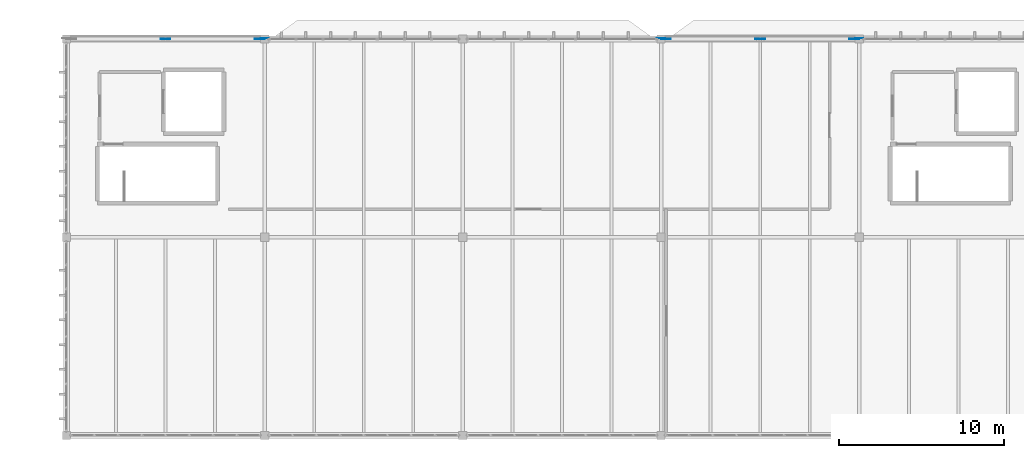
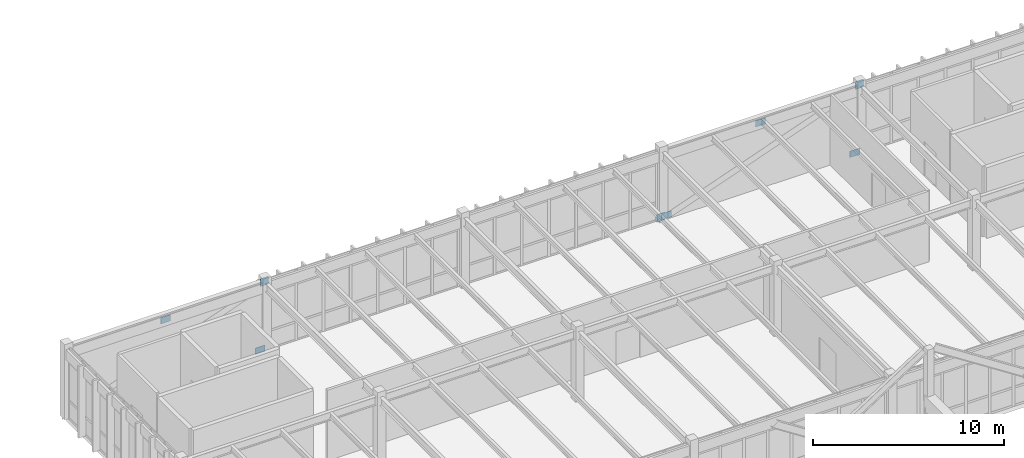
# One storey, part 214 of 236: 8 plates.
"""IFC4 building model written with IfcOpenShell, lengths in metres."""

import ifcopenshell
import ifcopenshell.guid

model = None  # the IFC model being written
_history = None  # IfcOwnerHistory: only IFC2X3 demands one
_inside = {}  # id of a spatial element -> (the spatial element, [elements in it])
_under = {}  # id of a project, library or spatial element -> (it, [spatial elements below it])
_declared = {}  # id of a project -> (the project, [libraries it declares])
_typed = {}  # id of a type object -> (the type object, [elements of that type])
_made_of = {}  # id of a material, layer set ... -> (it, [elements and type objects made of it])


def new_model(schema):
    """Start an empty IFC model of exactly this schema.

    Asked for "IFC4X3", IfcOpenShell would pick the latest addendum, in which some entities
    have other attributes; the version numbers below select the first issue.
    IFC2X3 requires an IfcOwnerHistory on every rooted entity: one is made here for all.
    """
    global model, _history
    if schema == "IFC4X3":
        model = ifcopenshell.file(schema_version=(4, 3, 0, 0))
    else:
        model = ifcopenshell.file(schema=schema)
    _inside.clear()
    _under.clear()
    _declared.clear()
    _typed.clear()
    _made_of.clear()
    _history = None
    if model.schema == "IFC2X3":
        org = make("IfcOrganization", Name="unknown")
        user = make(
            "IfcPersonAndOrganization",
            ThePerson=make("IfcPerson", FamilyName="unknown"),
            TheOrganization=org,
        )
        app = make(
            "IfcApplication",
            ApplicationDeveloper=org,
            Version="unknown",
            ApplicationFullName="unknown",
            ApplicationIdentifier="unknown",
        )
        _history = make(
            "IfcOwnerHistory",
            OwningUser=user,
            OwningApplication=app,
            ChangeAction="ADDED",
            CreationDate=0,
        )
    return model


def make(cls, **values):
    """One entity of the class cls with the attributes given. An attribute that is None is left unset."""
    return model.create_entity(
        cls, **{name: value for name, value in values.items() if value is not None}
    )


def rooted(cls, **values):
    """An entity with a GlobalId (a new one), such as an element, a storey or a relation."""
    return make(cls, GlobalId=ifcopenshell.guid.new(), OwnerHistory=_history, **values)


def si_unit(unit_type, name, prefix=None):
    """IfcSIUnit, for example si_unit("LENGTHUNIT", "METRE", prefix="MILLI")."""
    return make("IfcSIUnit", UnitType=unit_type, Prefix=prefix, Name=name)


def assignment(units):
    """IfcUnitAssignment: the units of a project."""
    return None if units is None else make("IfcUnitAssignment", Units=units)


def point(xyz):
    """IfcCartesianPoint."""
    return None if xyz is None else make("IfcCartesianPoint", Coordinates=xyz)


def direction(xyz):
    """IfcDirection."""
    return None if xyz is None else make("IfcDirection", DirectionRatios=xyz)


def frame(location, z_axis=None, x_axis=None):
    """IfcAxis2Placement3D, a coordinate frame: its origin and axes. An axis left out is left unset."""
    return make(
        "IfcAxis2Placement3D",
        Location=point(location),
        Axis=direction(z_axis),
        RefDirection=direction(x_axis),
    )


def frame_2d(location, x_axis=None):
    """IfcAxis2Placement2D, a coordinate frame in the plane: its origin and x axis."""
    return make(
        "IfcAxis2Placement2D", Location=point(location), RefDirection=direction(x_axis)
    )


def origin():
    """The frame at (0, 0, 0) with its axes left unset."""
    return frame((0.0, 0.0, 0.0))


def origin_2d():
    """The frame at (0, 0) in the plane with its x axis left unset."""
    return frame_2d((0.0, 0.0))


def place(relative_to, where):
    """IfcLocalPlacement: puts the frame where relative to a parent placement (None: the world)."""
    return make(
        "IfcLocalPlacement", PlacementRelTo=relative_to, RelativePlacement=where
    )


def context(
    kind, dimensions, precision=None, world=None, true_north=None, identifier=None
):
    """IfcGeometricRepresentationContext, for example the 3D "Model" context."""
    return make(
        "IfcGeometricRepresentationContext",
        ContextIdentifier=identifier,
        ContextType=kind,
        CoordinateSpaceDimension=dimensions,
        Precision=precision,
        WorldCoordinateSystem=world,
        TrueNorth=true_north,
    )


def subcontext(parent, identifier, kind, view, scale=None):
    """IfcGeometricRepresentationSubContext, for example "Body" below "Model"."""
    return make(
        "IfcGeometricRepresentationSubContext",
        ContextIdentifier=identifier,
        ContextType=kind,
        ParentContext=parent,
        TargetScale=scale,
        TargetView=view,
    )


def project(units=None, contexts=None):
    """IfcProject with its units and contexts."""
    return rooted(
        "IfcProject",
        Name="project",
        RepresentationContexts=contexts,
        UnitsInContext=assignment(units),
    )


def spatial(cls, under=None, at=None, **own):
    """A site, building, storey or space (cls), placed at a placement, below another one or the project."""
    s = rooted(cls, ObjectPlacement=at, **own)
    if under is not None:
        _under.setdefault(under.id(), (under, []))[1].append(s)
    return s


def profile(cls, at=None, kind="AREA", **sizes):
    """A parametric profile (cls). Its sizes go by their IFC names, for example OverallWidth=200.0."""
    return make(cls, ProfileType=kind, Position=at, **sizes)


def rectangle(**sizes):
    """IfcRectangleProfileDef."""
    return profile("IfcRectangleProfileDef", **sizes)


def extrude(swept, where, along, depth):
    """IfcExtrudedAreaSolid: the profile swept, set in the frame where, extruded along a direction by depth."""
    return make(
        "IfcExtrudedAreaSolid",
        SweptArea=swept,
        Position=where,
        ExtrudedDirection=direction(along),
        Depth=depth,
    )


def shape(context_of_items, identifier, shape_type, items):
    """IfcShapeRepresentation: the items that make up one representation, for example the "Body"."""
    return make(
        "IfcShapeRepresentation",
        ContextOfItems=context_of_items,
        RepresentationIdentifier=identifier,
        RepresentationType=shape_type,
        Items=items,
    )


def material(Name=None, Category=None):
    """IfcMaterial."""
    return make("IfcMaterial", Name=Name, Category=Category)


def layer(
    of_material, thickness, ventilated=None, Name=None, Category=None, Priority=None
):
    """IfcMaterialLayer: one layer of a wall or slab, of a material (None: an air gap)."""
    return make(
        "IfcMaterialLayer",
        Material=of_material,
        LayerThickness=thickness,
        IsVentilated=ventilated,
        Name=Name,
        Category=Category,
        Priority=Priority,
    )


def layer_set(layers, Name=None):
    """IfcMaterialLayerSet."""
    return make("IfcMaterialLayerSet", MaterialLayers=layers, LayerSetName=Name)


def made_of(thing, what):
    """Note that an element or type object is made of a material, layer set ...; save() writes the relation."""
    if what is not None:
        _made_of.setdefault(what.id(), (what, []))[1].append(thing)
    return thing


def type_object(cls, material=None, **own):
    """A type object (cls), such as IfcWallType, which elements share."""
    return made_of(rooted(cls, **own), material)


def element(
    cls,
    number,
    at=None,
    inside=None,
    cuts=None,
    type_object=None,
    material=None,
    context=None,
    identifier="Body",
    shape_type=None,
    held_by="IfcProductDefinitionShape",
    body=None,
    shapes=None,
    **own,
):
    """One element of the class cls, such as IfcWall. Its Tag is "e" and its number.

    at: its placement. inside: the storey or other place that contains it. cuts: it is an
    opening in that element (IfcRelVoidsElement). A single representation is given by context,
    identifier, shape_type and body (its items); several are given by shapes. held_by: the class
    of the entity that holds the representations. save() writes the other relations.
    """
    e = rooted(cls, Tag="e%d" % number, ObjectPlacement=at, **own)
    if body is not None:
        shapes = [shape(context, identifier, shape_type, body)]
    if shapes is not None:
        e.Representation = make(held_by, Representations=shapes)
    if inside is not None:
        _inside.setdefault(inside.id(), (inside, []))[1].append(e)
    if cuts is not None:
        rooted(
            "IfcRelVoidsElement", RelatingBuildingElement=cuts, RelatedOpeningElement=e
        )
    if type_object is not None:
        _typed.setdefault(type_object.id(), (type_object, []))[1].append(e)
    return made_of(e, material)


def aggregate(whole, parts):
    """IfcRelAggregates: a whole, such as a stair, and the parts it consists of."""
    return rooted("IfcRelAggregates", RelatingObject=whole, RelatedObjects=parts)


def save(model, path):
    """Write the relations noted so far, then the file.

    IfcRelAggregates (storeys below a building ...), IfcRelContainedInSpatialStructure (elements
    in a storey), IfcRelDefinesByType, IfcRelAssociatesMaterial and IfcRelDeclares: one each for
    every whole, place, type object, material and project.
    """
    for whole, parts in _under.values():
        aggregate(whole, parts)
    for where, things in _inside.values():
        rooted(
            "IfcRelContainedInSpatialStructure",
            RelatedElements=things,
            RelatingStructure=where,
        )
    for kind, things in _typed.values():
        rooted("IfcRelDefinesByType", RelatedObjects=things, RelatingType=kind)
    for what, things in _made_of.values():
        rooted("IfcRelAssociatesMaterial", RelatedObjects=things, RelatingMaterial=what)
    for by, libraries in _declared.values():
        rooted("IfcRelDeclares", RelatingContext=by, RelatedDefinitions=libraries)
    model.write(path)


model = new_model("IFC4")

# Units and contexts
model_context = context("Model", 3, precision=1e-05, world=origin(), true_north=direction((0.0, 1.0)))
body_context = subcontext(model_context, "Body", "Model", "MODEL_VIEW")
ifc_project = project(units=[si_unit("LENGTHUNIT", "METRE"), si_unit("AREAUNIT", "SQUARE_METRE"), si_unit("VOLUMEUNIT", "CUBIC_METRE"), si_unit("PLANEANGLEUNIT", "RADIAN"), si_unit("MASSUNIT", "GRAM", prefix="KILO")], contexts=[model_context])

# Site, building, storey
site_placement = place(None, origin())
site = spatial("IfcSite", under=ifc_project, at=site_placement, CompositionType="ELEMENT")
building_placement = place(site_placement, origin())
building = spatial("IfcBuilding", under=site, at=building_placement, Name="Pandanus Reach Market Hall", CompositionType="ELEMENT")
storey_placement = place(building_placement, frame((0.0, 0.0, 5.39990234375)))
storey = spatial("IfcBuildingStorey", under=building, at=storey_placement, Name="L01", CompositionType="ELEMENT", Elevation=5.39990234375)

# Plates
ifc_material = material(Name="Steel Grade 350 (350 MPa)", Category="steel")
ifc_layer_1 = layer(ifc_material, 0.02001953125, Name="GS-PL20")
ifc_layer_set_1 = layer_set([ifc_layer_1], Name="Steel Grade 350 (350 MPa)")
plate_type_1 = type_object("IfcPlateType", Name="GS-PL20", PredefinedType="SHEET", material=ifc_layer_set_1)
for number, where, z_axis, x_axis, name in (
    (1, (72.0, 120.050048828125, 4.150146484375), (0.0, 0.0, 1.0), (1.0, 0.0, 0.0), "Diagrid rib end anchorage plate GS-PL20 15B"),
    (2, (96.0, 120.050048828125, -0.14990234375), (0.0, 0.0, 1.0), (1.0, 0.0, 0.0), "Diagrid rib end anchorage plate GS-PL20 16A"),
    (3, (108.0, 120.050048828125, 4.150146484375), (0.0, 0.0, 1.0), (1.0, 0.0, 0.0), "Diagrid rib end anchorage plate GS-PL20 16B"),
):
    element("IfcPlate", number, at=place(storey_placement, frame(where, z_axis=z_axis, x_axis=x_axis)), inside=storey, type_object=plate_type_1, Name=name, PredefinedType="SHEET", context=body_context, shape_type="SweptSolid", body=[
        extrude(rectangle(XDim=0.5, YDim=0.02001953125, at=origin_2d()), origin(), (0.0, 0.0, 1.0), 0.5),
    ])
ifc_layer_2 = layer(ifc_material, 0.02392578125, Name="GS-PL24")
ifc_layer_set_2 = layer_set([ifc_layer_2], Name="Steel Grade 350 (350 MPa)")
plate_type_2 = type_object("IfcPlateType", Name="GS-PL24", PredefinedType="SHEET", material=ifc_layer_set_2)
for number, where, z_axis, x_axis, name in (
    (4, (66.0, 120.0, 3.900146484375), (0.0, 0.0, 1.0), (1.0, 0.0, 0.0), "Brace gusset plate GS-PL24 7M"),
    (5, (71.699951171875, 120.0, -0.0498046875), (0.0, 0.0, 1.0), (1.0, 0.0, 0.0), "Brace gusset plate GS-PL24 7R"),
    (6, (96.300048828125, 120.0, -0.0498046875), (0.0, 0.0, 1.0), (1.0, 0.0, 0.0), "Brace gusset plate GS-PL24 8L"),
    (7, (102.0, 120.0, 3.900146484375), (0.0, 0.0, 1.0), (1.0, 0.0, 0.0), "Brace gusset plate GS-PL24 8M"),
    (8, (107.699951171875, 120.0, -0.0498046875), (0.0, 0.0, 1.0), (1.0, 0.0, 0.0), "Brace gusset plate GS-PL24 8R"),
):
    element("IfcPlate", number, at=place(storey_placement, frame(where, z_axis=z_axis, x_axis=x_axis)), inside=storey, type_object=plate_type_2, Name=name, PredefinedType="SHEET", context=body_context, shape_type="SweptSolid", body=[
        extrude(rectangle(XDim=0.60009765625, YDim=0.02392578125, at=origin_2d()), origin(), (0.0, 0.0, 1.0), 0.39990234375),
    ])

save(model, "model.ifc")
